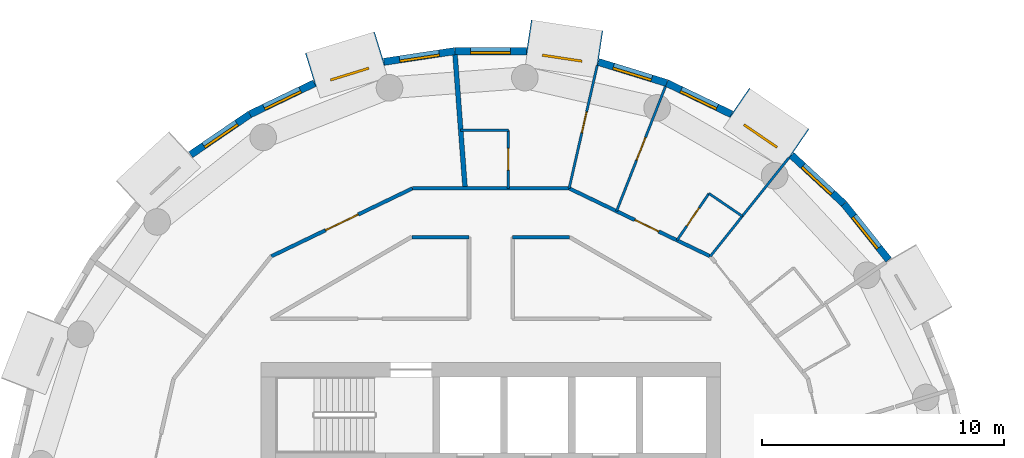
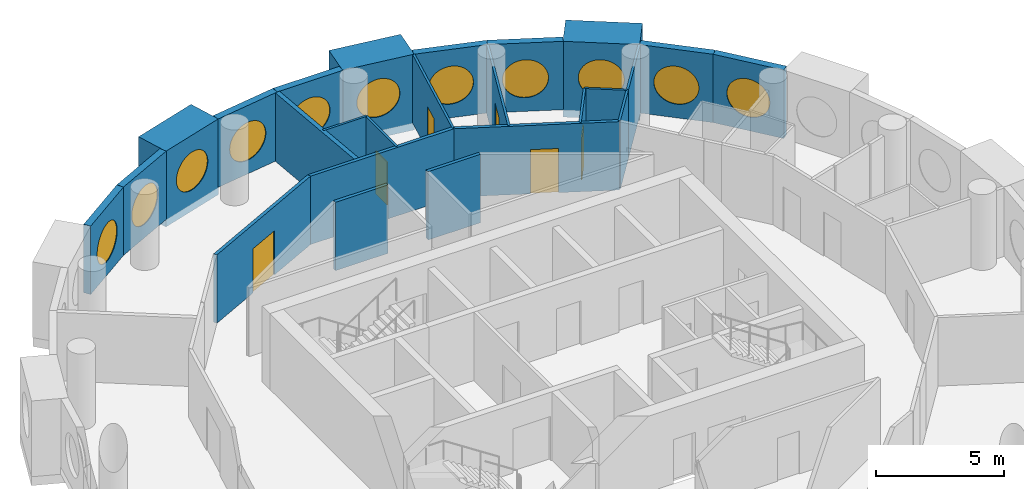
# One storey, part 11 of 13: 25 walls, 11 windows, 6 doors, 17 openings.
"""IFC4 building model written with IfcOpenShell, lengths in metres."""

from ifc_helpers import new_model, si_unit, direction, frame, frame_2d, origin, origin_2d, place, context, subcontext, project, spatial, rectangle, circle, extrude, material, layer, layer_set, type_object, element, fill, save


model = new_model("IFC4")

# Units and contexts
model_context = context("Model", 3, precision=1e-05, world=origin(), true_north=direction((0.0, 1.0)))
body_context = subcontext(model_context, "Body", "Model", "MODEL_VIEW")
ifc_project = project(units=[si_unit("LENGTHUNIT", "METRE"), si_unit("AREAUNIT", "SQUARE_METRE"), si_unit("VOLUMEUNIT", "CUBIC_METRE"), si_unit("PLANEANGLEUNIT", "RADIAN"), si_unit("MASSUNIT", "GRAM", prefix="KILO")], contexts=[model_context])

# Site, building, storey
site_placement = place(None, origin())
site = spatial("IfcSite", under=ifc_project, at=site_placement, CompositionType="ELEMENT")
building_placement = place(site_placement, origin())
building = spatial("IfcBuilding", under=site, at=building_placement, Name="Tracery Tower", CompositionType="ELEMENT")
storey_placement = place(building_placement, frame((0.0, 0.0, 252.60009765625)))
storey = spatial("IfcBuildingStorey", under=building, at=storey_placement, Name="L65", CompositionType="ELEMENT", Elevation=252.60009765625)

# Wall, opening, window
ifc_material_1 = material(Name="Precast concrete C50/60", Category="concrete")
ifc_layer_1 = layer(ifc_material_1, 1.449951171875)
ifc_layer_set_1 = layer_set([ifc_layer_1], Name="Deep-set bay unit 3000 x 3600, slab edge 350")
wall_type_1 = type_object("IfcWallType", Name="Deep-set bay unit 3000 x 3600, slab edge 350", PredefinedType="ELEMENTEDWALL", material=ifc_layer_set_1)
wall_1_placement = place(storey_placement, frame((12.754150390625, 16.044189453125, -0.35009765625), z_axis=(0.0, 0.0, 1.0), x_axis=(-0.826246281157, 0.563309047392, 0.0)))
wall_1 = element("IfcWall", 1, at=wall_1_placement, inside=storey, type_object=wall_type_1, Name="Deep-set bay unit 7 at L65", PredefinedType="ELEMENTEDWALL", context=body_context, shape_type="SweptSolid", body=[
    extrude(rectangle(XDim=3.0, YDim=1.449951171875, at=frame_2d((1.5, 0.0))), origin(), (0.0, 0.0, 1.0), 3.60009765625),
])
opening_1_placement = place(wall_1_placement, frame((1.5, 0.0, 1.89990234375)))
opening_1 = element("IfcOpeningElement", 2, at=opening_1_placement, cuts=wall_1, Name="Opening WN1", PredefinedType="OPENING", context=body_context, shape_type="SweptSolid", body=[
    extrude(circle(Radius=0.9000244140625, at=origin_2d()), frame((0.0, 0.73486328125, 0.0), z_axis=(0.0, -1.0, 0.0), x_axis=(1.0, 0.0, 0.0)), (0.0, 0.0, 1.0), 1.469970703125),
])
ifc_material_2 = material(Name="Aluminium frame with tinted double glazing", Category="aluminium")
window_type = type_object("IfcWindowType", Name="Round window 1800", PartitioningType="SINGLE_PANEL", PredefinedType="WINDOW", material=ifc_material_2)
window_1_placement = place(opening_1_placement, origin())
window_1 = element("IfcWindow", 3, at=window_1_placement, inside=storey, type_object=window_type, Name="Round window 7 at L65", OverallHeight=1.800048828125, OverallWidth=1.800048828125, PartitioningType="SINGLE_PANEL", PredefinedType="WINDOW", context=body_context, shape_type="SweptSolid", body=[
    extrude(circle(Radius=0.9000244140625, at=origin_2d()), frame((0.0, 0.69482421875, 0.0), z_axis=(0.0, -1.0, 0.0), x_axis=(1.0, 0.0, 0.0)), (0.0, 0.0, 1.0), 0.10009765625),
])
fill(opening_1, window_1)

wall_2_placement = place(storey_placement, frame((4.52978515625, 19.9892578125, -0.35009765625), z_axis=(0.0, 0.0, 1.0), x_axis=(-0.988836445254, 0.149004981587, 0.0)))
wall_2 = element("IfcWall", 4, at=wall_2_placement, inside=storey, type_object=wall_type_1, Name="Deep-set bay unit 10 at L65", PredefinedType="ELEMENTEDWALL", context=body_context, shape_type="SweptSolid", body=[
    extrude(rectangle(XDim=3.0, YDim=1.449951171875, at=frame_2d((1.5, 0.0))), origin(), (0.0, 0.0, 1.0), 3.60009765625),
])
opening_2_placement = place(wall_2_placement, frame((1.5, 0.0, 1.89990234375)))
opening_2 = element("IfcOpeningElement", 5, at=opening_2_placement, cuts=wall_2, Name="Opening WN1", PredefinedType="OPENING", context=body_context, shape_type="SweptSolid", body=[
    extrude(circle(Radius=0.9000244140625, at=origin_2d()), frame((0.0, 0.73486328125, 0.0), z_axis=(0.0, -1.0, 0.0), x_axis=(1.0, 0.0, 0.0)), (0.0, 0.0, 1.0), 1.469970703125),
])
window_2_placement = place(opening_2_placement, origin())
window_2 = element("IfcWindow", 6, at=window_2_placement, inside=storey, type_object=window_type, Name="Round window 10 at L65", OverallHeight=1.800048828125, OverallWidth=1.800048828125, PartitioningType="SINGLE_PANEL", PredefinedType="WINDOW", context=body_context, shape_type="SweptSolid", body=[
    extrude(circle(Radius=0.9000244140625, at=origin_2d()), frame((0.0, 0.69482421875, 0.0), z_axis=(0.0, -1.0, 0.0), x_axis=(1.0, 0.0, 0.0)), (0.0, 0.0, 1.0), 0.10009765625),
])
fill(opening_2, window_2)

wall_3_placement = place(storey_placement, frame((-4.591796875, 19.97509765625, -0.35009765625), z_axis=(0.0, 0.0, 1.0), x_axis=(-0.955571139978, -0.294760574774, 0.0)))
wall_3 = element("IfcWall", 7, at=wall_3_placement, inside=storey, type_object=wall_type_1, Name="Deep-set bay unit 13 at L65", PredefinedType="ELEMENTEDWALL", context=body_context, shape_type="SweptSolid", body=[
    extrude(rectangle(XDim=3.0, YDim=1.449951171875, at=frame_2d((1.5, 0.0))), origin(), (0.0, 0.0, 1.0), 3.60009765625),
])
opening_3_placement = place(wall_3_placement, frame((1.5, 0.0, 1.89990234375)))
opening_3 = element("IfcOpeningElement", 8, at=opening_3_placement, cuts=wall_3, Name="Opening WN1", PredefinedType="OPENING", context=body_context, shape_type="SweptSolid", body=[
    extrude(circle(Radius=0.9000244140625, at=origin_2d()), frame((0.0, 0.73486328125, 0.0), z_axis=(0.0, -1.0, 0.0), x_axis=(1.0, 0.0, 0.0)), (0.0, 0.0, 1.0), 1.469970703125),
])
window_3_placement = place(opening_3_placement, origin())
window_3 = element("IfcWindow", 9, at=window_3_placement, inside=storey, type_object=window_type, Name="Round window 13 at L65", OverallHeight=1.800048828125, OverallWidth=1.800048828125, PartitioningType="SINGLE_PANEL", PredefinedType="WINDOW", context=body_context, shape_type="SweptSolid", body=[
    extrude(circle(Radius=0.9000244140625, at=origin_2d()), frame((0.0, 0.69482421875, 0.0), z_axis=(0.0, -1.0, 0.0), x_axis=(1.0, 0.0, 0.0)), (0.0, 0.0, 1.0), 0.10009765625),
])
fill(opening_3, window_3)

ifc_material_3 = material(Name="Precast concrete C50/60", Category="concrete")
ifc_layer_2 = layer(ifc_material_3, 0.300048828125)
ifc_layer_set_2 = layer_set([ifc_layer_2], Name="Facade panel 3000 x 3250")
wall_type_2 = type_object("IfcWallType", Name="Facade panel 3000 x 3250", PredefinedType="SOLIDWALL", material=ifc_layer_set_2)
wall_4_placement = place(storey_placement, frame((16.45068359375, 11.234375, 0.0), z_axis=(0.0, 0.0, 1.0), x_axis=(-0.623498236992, 0.781824755599, 0.0)))
wall_4 = element("IfcWall", 10, at=wall_4_placement, inside=storey, type_object=wall_type_2, Name="Facade panel 5 at L65", PredefinedType="SOLIDWALL", context=body_context, shape_type="SweptSolid", body=[
    extrude(rectangle(XDim=2.962158203125, YDim=0.300048828125, at=frame_2d((1.48095703125, 0.0))), origin(), (0.0, 0.0, 1.0), 3.25),
])
opening_4_placement = place(wall_4_placement, frame((1.48095703125, 0.0, 1.5498046875)))
opening_4 = element("IfcOpeningElement", 11, at=opening_4_placement, cuts=wall_4, Name="Opening WN1", PredefinedType="OPENING", context=body_context, shape_type="SweptSolid", body=[
    extrude(circle(Radius=0.9000244140625, at=origin_2d()), frame((0.0, 0.159912109375, 0.0), z_axis=(0.0, -1.0, 0.0), x_axis=(1.0, 0.0, 0.0)), (0.0, 0.0, 1.0), 0.320068359375),
])
window_4_placement = place(opening_4_placement, origin())
window_4 = element("IfcWindow", 12, at=window_4_placement, inside=storey, type_object=window_type, Name="Round window 5 at L65", OverallHeight=1.800048828125, OverallWidth=1.800048828125, PartitioningType="SINGLE_PANEL", PredefinedType="WINDOW", context=body_context, shape_type="SweptSolid", body=[
    extrude(circle(Radius=0.9000244140625, at=origin_2d()), frame((0.0, 0.1201171875, 0.0), z_axis=(0.0, -1.0, 0.0), x_axis=(1.0, 0.0, 0.0)), (0.0, 0.0, 1.0), 0.10009765625),
])
fill(opening_4, window_4)

wall_5_placement = place(storey_placement, frame((14.603759765625, 13.55029296875, 0.0), z_axis=(0.0, 0.0, 1.0), x_axis=(-0.733066412643, 0.680157066165, 0.0)))
wall_5 = element("IfcWall", 13, at=wall_5_placement, inside=storey, type_object=wall_type_2, Name="Facade panel 6 at L65", PredefinedType="SOLIDWALL", context=body_context, shape_type="SweptSolid", body=[
    extrude(rectangle(XDim=2.96240234375, YDim=0.300048828125, at=frame_2d((1.481201171875, 0.0))), origin(), (0.0, 0.0, 1.0), 3.25),
])
opening_5_placement = place(wall_5_placement, frame((1.48095703125, 0.0, 1.5498046875)))
opening_5 = element("IfcOpeningElement", 14, at=opening_5_placement, cuts=wall_5, Name="Opening WN1", PredefinedType="OPENING", context=body_context, shape_type="SweptSolid", body=[
    extrude(circle(Radius=0.9000244140625, at=origin_2d()), frame((0.0, 0.159912109375, 0.0), z_axis=(0.0, -1.0, 0.0), x_axis=(1.0, 0.0, 0.0)), (0.0, 0.0, 1.0), 0.320068359375),
])
window_5_placement = place(opening_5_placement, origin())
window_5 = element("IfcWindow", 15, at=window_5_placement, inside=storey, type_object=window_type, Name="Round window 6 at L65", OverallHeight=1.800048828125, OverallWidth=1.800048828125, PartitioningType="SINGLE_PANEL", PredefinedType="WINDOW", context=body_context, shape_type="SweptSolid", body=[
    extrude(circle(Radius=0.9000244140625, at=origin_2d()), frame((0.0, 0.1201171875, 0.0), z_axis=(0.0, -1.0, 0.0), x_axis=(1.0, 0.0, 0.0)), (0.0, 0.0, 1.0), 0.10009765625),
])
fill(opening_5, window_5)

wall_6_placement = place(storey_placement, frame((9.947021484375, 17.25927734375, 0.0), z_axis=(0.0, 0.0, 1.0), x_axis=(-0.900939615635, 0.433944476838, 0.0)))
wall_6 = element("IfcWall", 16, at=wall_6_placement, inside=storey, type_object=wall_type_2, Name="Facade panel 8 at L65", PredefinedType="SOLIDWALL", context=body_context, shape_type="SweptSolid", body=[
    extrude(rectangle(XDim=2.962158203125, YDim=0.300048828125, at=frame_2d((1.48095703125, 0.0))), origin(), (0.0, 0.0, 1.0), 3.25),
])
opening_6_placement = place(wall_6_placement, frame((1.48095703125, 0.0, 1.5498046875)))
opening_6 = element("IfcOpeningElement", 17, at=opening_6_placement, cuts=wall_6, Name="Opening WN1", PredefinedType="OPENING", context=body_context, shape_type="SweptSolid", body=[
    extrude(circle(Radius=0.9000244140625, at=origin_2d()), frame((0.0, 0.159912109375, 0.0), z_axis=(0.0, -1.0, 0.0), x_axis=(1.0, 0.0, 0.0)), (0.0, 0.0, 1.0), 0.320068359375),
])
window_6_placement = place(opening_6_placement, origin())
window_6 = element("IfcWindow", 18, at=window_6_placement, inside=storey, type_object=window_type, Name="Round window 8 at L65", OverallHeight=1.800048828125, OverallWidth=1.800048828125, PartitioningType="SINGLE_PANEL", PredefinedType="WINDOW", context=body_context, shape_type="SweptSolid", body=[
    extrude(circle(Radius=0.9000244140625, at=origin_2d()), frame((0.0, 0.1201171875, 0.0), z_axis=(0.0, -1.0, 0.0), x_axis=(1.0, 0.0, 0.0)), (0.0, 0.0, 1.0), 0.10009765625),
])
fill(opening_6, window_6)

wall_7_placement = place(storey_placement, frame((7.2783203125, 18.544677734375, 0.0), z_axis=(0.0, 0.0, 1.0), x_axis=(-0.95558635705, 0.294711238707, 0.0)))
wall_7 = element("IfcWall", 19, at=wall_7_placement, inside=storey, type_object=wall_type_2, Name="Facade panel 9 at L65", PredefinedType="SOLIDWALL", context=body_context, shape_type="SweptSolid", body=[
    extrude(rectangle(XDim=2.96240234375, YDim=0.300048828125, at=frame_2d((1.481201171875, 0.0))), origin(), (0.0, 0.0, 1.0), 3.25),
])
opening_7_placement = place(wall_7_placement, frame((1.48095703125, 0.0, 1.5498046875)))
opening_7 = element("IfcOpeningElement", 20, at=opening_7_placement, cuts=wall_7, Name="Opening WN1", PredefinedType="OPENING", context=body_context, shape_type="SweptSolid", body=[
    extrude(circle(Radius=0.9000244140625, at=origin_2d()), frame((0.0, 0.159912109375, 0.0), z_axis=(0.0, -1.0, 0.0), x_axis=(1.0, 0.0, 0.0)), (0.0, 0.0, 1.0), 0.320068359375),
])
window_7_placement = place(opening_7_placement, origin())
window_7 = element("IfcWindow", 21, at=window_7_placement, inside=storey, type_object=window_type, Name="Round window 9 at L65", OverallHeight=1.800048828125, OverallWidth=1.800048828125, PartitioningType="SINGLE_PANEL", PredefinedType="WINDOW", context=body_context, shape_type="SweptSolid", body=[
    extrude(circle(Radius=0.9000244140625, at=origin_2d()), frame((0.0, 0.1201171875, 0.0), z_axis=(0.0, -1.0, 0.0), x_axis=(1.0, 0.0, 0.0)), (0.0, 0.0, 1.0), 0.10009765625),
])
fill(opening_7, window_7)

wall_8_placement = place(storey_placement, frame((1.473388671875, 19.865966796875, 0.0), z_axis=(0.0, 0.0, 1.0), x_axis=(-1.0, 0.0, 0.0)))
wall_8 = element("IfcWall", 22, at=wall_8_placement, inside=storey, type_object=wall_type_2, Name="Facade panel 11 at L65", PredefinedType="SOLIDWALL", context=body_context, shape_type="SweptSolid", body=[
    extrude(rectangle(XDim=2.962158203125, YDim=0.300048828125, at=frame_2d((1.48095703125, 0.0))), origin(), (0.0, 0.0, 1.0), 3.25),
])
opening_8_placement = place(wall_8_placement, frame((1.48095703125, 0.0, 1.5498046875)))
opening_8 = element("IfcOpeningElement", 23, at=opening_8_placement, cuts=wall_8, Name="Opening WN1", PredefinedType="OPENING", context=body_context, shape_type="SweptSolid", body=[
    extrude(circle(Radius=0.9000244140625, at=origin_2d()), frame((0.0, 0.159912109375, 0.0), z_axis=(0.0, -1.0, 0.0), x_axis=(1.0, 0.0, 0.0)), (0.0, 0.0, 1.0), 0.320068359375),
])
window_8_placement = place(opening_8_placement, origin())
window_8 = element("IfcWindow", 24, at=window_8_placement, inside=storey, type_object=window_type, Name="Round window 11 at L65", OverallHeight=1.800048828125, OverallWidth=1.800048828125, PartitioningType="SINGLE_PANEL", PredefinedType="WINDOW", context=body_context, shape_type="SweptSolid", body=[
    extrude(circle(Radius=0.9000244140625, at=origin_2d()), frame((0.0, 0.1201171875, 0.0), z_axis=(0.0, -1.0, 0.0), x_axis=(1.0, 0.0, 0.0)), (0.0, 0.0, 1.0), 0.10009765625),
])
fill(opening_8, window_8)

wall_9_placement = place(storey_placement, frame((-1.48876953125, 19.865966796875, 0.0), z_axis=(0.0, 0.0, 1.0), x_axis=(-0.988835775663, -0.149009425104, 0.0)))
wall_9 = element("IfcWall", 25, at=wall_9_placement, inside=storey, type_object=wall_type_2, Name="Facade panel 12 at L65", PredefinedType="SOLIDWALL", context=body_context, shape_type="SweptSolid", body=[
    extrude(rectangle(XDim=2.962158203125, YDim=0.300048828125, at=frame_2d((1.48095703125, 0.0))), origin(), (0.0, 0.0, 1.0), 3.25),
])
opening_9_placement = place(wall_9_placement, frame((1.48095703125, 0.0, 1.5498046875)))
opening_9 = element("IfcOpeningElement", 26, at=opening_9_placement, cuts=wall_9, Name="Opening WN1", PredefinedType="OPENING", context=body_context, shape_type="SweptSolid", body=[
    extrude(circle(Radius=0.9000244140625, at=origin_2d()), frame((0.0, 0.159912109375, 0.0), z_axis=(0.0, -1.0, 0.0), x_axis=(1.0, 0.0, 0.0)), (0.0, 0.0, 1.0), 0.320068359375),
])
window_9_placement = place(opening_9_placement, origin())
window_9 = element("IfcWindow", 27, at=window_9_placement, inside=storey, type_object=window_type, Name="Round window 12 at L65", OverallHeight=1.800048828125, OverallWidth=1.800048828125, PartitioningType="SINGLE_PANEL", PredefinedType="WINDOW", context=body_context, shape_type="SweptSolid", body=[
    extrude(circle(Radius=0.9000244140625, at=origin_2d()), frame((0.0, 0.1201171875, 0.0), z_axis=(0.0, -1.0, 0.0), x_axis=(1.0, 0.0, 0.0)), (0.0, 0.0, 1.0), 0.10009765625),
])
fill(opening_9, window_9)

wall_10_placement = place(storey_placement, frame((-7.2919921875, 18.5380859375, 0.0), z_axis=(0.0, 0.0, 1.0), x_axis=(-0.90095513435, -0.433912255978, 0.0)))
wall_10 = element("IfcWall", 28, at=wall_10_placement, inside=storey, type_object=wall_type_2, Name="Facade panel 14 at L65", PredefinedType="SOLIDWALL", context=body_context, shape_type="SweptSolid", body=[
    extrude(rectangle(XDim=2.96240234375, YDim=0.300048828125, at=frame_2d((1.481201171875, 0.0))), origin(), (0.0, 0.0, 1.0), 3.25),
])
opening_10_placement = place(wall_10_placement, frame((1.48095703125, 0.0, 1.5498046875)))
opening_10 = element("IfcOpeningElement", 29, at=opening_10_placement, cuts=wall_10, Name="Opening WN1", PredefinedType="OPENING", context=body_context, shape_type="SweptSolid", body=[
    extrude(circle(Radius=0.9000244140625, at=origin_2d()), frame((0.0, 0.159912109375, 0.0), z_axis=(0.0, -1.0, 0.0), x_axis=(1.0, 0.0, 0.0)), (0.0, 0.0, 1.0), 0.320068359375),
])
window_10_placement = place(opening_10_placement, origin())
window_10 = element("IfcWindow", 30, at=window_10_placement, inside=storey, type_object=window_type, Name="Round window 14 at L65", OverallHeight=1.800048828125, OverallWidth=1.800048828125, PartitioningType="SINGLE_PANEL", PredefinedType="WINDOW", context=body_context, shape_type="SweptSolid", body=[
    extrude(circle(Radius=0.9000244140625, at=origin_2d()), frame((0.0, 0.1201171875, 0.0), z_axis=(0.0, -1.0, 0.0), x_axis=(1.0, 0.0, 0.0)), (0.0, 0.0, 1.0), 0.10009765625),
])
fill(opening_10, window_10)

wall_11_placement = place(storey_placement, frame((-9.9609375, 17.252685546875, 0.0), z_axis=(0.0, 0.0, 1.0), x_axis=(-0.826236061068, -0.563324037646, 0.0)))
wall_11 = element("IfcWall", 31, at=wall_11_placement, inside=storey, type_object=wall_type_2, Name="Facade panel 15 at L65", PredefinedType="SOLIDWALL", context=body_context, shape_type="SweptSolid", body=[
    extrude(rectangle(XDim=2.962158203125, YDim=0.300048828125, at=frame_2d((1.48095703125, 0.0))), origin(), (0.0, 0.0, 1.0), 3.25),
])
opening_11_placement = place(wall_11_placement, frame((1.48095703125, 0.0, 1.5498046875)))
opening_11 = element("IfcOpeningElement", 32, at=opening_11_placement, cuts=wall_11, Name="Opening WN1", PredefinedType="OPENING", context=body_context, shape_type="SweptSolid", body=[
    extrude(circle(Radius=0.9000244140625, at=origin_2d()), frame((0.0, 0.159912109375, 0.0), z_axis=(0.0, -1.0, 0.0), x_axis=(1.0, 0.0, 0.0)), (0.0, 0.0, 1.0), 0.320068359375),
])
window_11_placement = place(opening_11_placement, origin())
window_11 = element("IfcWindow", 33, at=window_11_placement, inside=storey, type_object=window_type, Name="Round window 15 at L65", OverallHeight=1.800048828125, OverallWidth=1.800048828125, PartitioningType="SINGLE_PANEL", PredefinedType="WINDOW", context=body_context, shape_type="SweptSolid", body=[
    extrude(circle(Radius=0.9000244140625, at=origin_2d()), frame((0.0, 0.1201171875, 0.0), z_axis=(0.0, -1.0, 0.0), x_axis=(1.0, 0.0, 0.0)), (0.0, 0.0, 1.0), 0.10009765625),
])
fill(opening_11, window_11)

# Wall, opening, door
ifc_material_4 = material(Name="Plasterboard on steel studs", Category="steel")
ifc_layer_3 = layer(ifc_material_4, 0.10009765625)
ifc_layer_set_3 = layer_set([ifc_layer_3], Name="Partition 100 stud")
wall_type_3 = type_object("IfcWallType", Name="Partition 100 stud", PredefinedType="PARTITIONING", material=ifc_layer_set_3)
wall_12_placement = place(storey_placement, frame((5.198974609375, 13.248046875, 0.0), z_axis=(0.0, 0.0, 1.0), x_axis=(0.365334662456, 0.930876245485, 0.0)))
wall_12 = element("IfcWall", 34, at=wall_12_placement, inside=storey, type_object=wall_type_3, Name="Stud partition RC3-057", PredefinedType="PARTITIONING", context=body_context, shape_type="SweptSolid", body=[
    extrude(rectangle(XDim=5.5400390625, YDim=0.10009765625, at=frame_2d((2.77001953125, 0.0))), origin(), (0.0, 0.0, 1.0), 3.25),
])
opening_12_placement = place(wall_12_placement, frame((2.27001953125, 0.0, 0.0)))
opening_12 = element("IfcOpeningElement", 35, at=opening_12_placement, cuts=wall_12, Name="Opening RC3-10", PredefinedType="OPENING", context=body_context, shape_type="SweptSolid", body=[
    extrude(rectangle(XDim=1.0, YDim=2.0400390625, at=frame_2d((0.5, 1.02001953125))), frame((0.0, 0.050048828125, 0.0), z_axis=(0.0, -1.0, 0.0), x_axis=(1.0, 0.0, 0.0)), (0.0, 0.0, 1.0), 0.10009765625),
])
ifc_material_5 = material(Name="Timber door leaf", Category="wood")
door_type_1 = type_object("IfcDoorType", Name="Door communal room 1000", OperationType="NOTDEFINED", PredefinedType="DOOR", material=ifc_material_5)
door_1_placement = place(opening_12_placement, origin())
door_1 = element("IfcDoor", 36, at=door_1_placement, inside=storey, type_object=door_type_1, Name="Communal room door RC3-10", OperationType="SINGLE_SWING_RIGHT", OverallHeight=2.0400390625, OverallWidth=1.0, PredefinedType="DOOR", context=body_context, shape_type="SweptSolid", body=[
    extrude(rectangle(XDim=1.0, YDim=2.0400390625, at=frame_2d((0.5, 1.02001953125))), frame((0.0, 0.02490234375, 0.0), z_axis=(0.0, -1.0, 0.0), x_axis=(1.0, 0.0, 0.0)), (0.0, 0.0, 1.0), 0.050048828125),
])
fill(opening_12, door_1)

# Wall
wall_13_placement = place(storey_placement, frame((10.39892578125, 13.0400390625, 0.0), z_axis=(0.0, 0.0, 1.0), x_axis=(0.62343302941, 0.781876753613, 0.0)))
element("IfcWall", 37, at=wall_13_placement, inside=storey, type_object=wall_type_3, Name="Stud partition RC3-060", PredefinedType="PARTITIONING", context=body_context, shape_type="SweptSolid", body=[
    extrude(rectangle(XDim=3.092529296875, YDim=0.10009765625, at=frame_2d((1.54638671875, 0.0))), origin(), (0.0, 0.0, 1.0), 3.25),
])

# Wall, opening, door
wall_14_placement = place(storey_placement, frame((3.239013671875, 14.19189453125, 0.0), z_axis=(0.0, 0.0, 1.0), x_axis=(0.222612505682, 0.974907007008, 0.0)))
wall_14 = element("IfcWall", 38, at=wall_14_placement, inside=storey, type_object=wall_type_3, Name="Stud partition RC3-061", PredefinedType="PARTITIONING", context=body_context, shape_type="SweptSolid", body=[
    extrude(rectangle(XDim=5.21484375, YDim=0.10009765625, at=frame_2d((2.607421875, 0.0))), origin(), (0.0, 0.0, 1.0), 3.25),
])
opening_13_placement = place(wall_14_placement, frame((2.35302734375, 0.0, 0.0)))
opening_13 = element("IfcOpeningElement", 39, at=opening_13_placement, cuts=wall_14, Name="Opening RC3-14", PredefinedType="OPENING", context=body_context, shape_type="SweptSolid", body=[
    extrude(rectangle(XDim=0.89990234375, YDim=2.10009765625, at=frame_2d((0.449951171875, 1.050048828125))), frame((0.0, 0.050048828125, 0.0), z_axis=(0.0, -1.0, 0.0), x_axis=(1.0, 0.0, 0.0)), (0.0, 0.0, 1.0), 0.10009765625),
])
ifc_material_6 = material(Name="Timber door leaf", Category="wood")
door_type_2 = type_object("IfcDoorType", Name="Door bedroom 900", OperationType="NOTDEFINED", PredefinedType="DOOR", material=ifc_material_6)
door_2_placement = place(opening_13_placement, origin())
door_2 = element("IfcDoor", 40, at=door_2_placement, inside=storey, type_object=door_type_2, Name="Bedroom door RC3-14", OperationType="SINGLE_SWING_RIGHT", OverallHeight=2.10009765625, OverallWidth=0.89990234375, PredefinedType="DOOR", context=body_context, shape_type="SweptSolid", body=[
    extrude(rectangle(XDim=0.89990234375, YDim=2.10009765625, at=frame_2d((0.449951171875, 1.050048828125))), frame((0.0, 0.02490234375, 0.0), z_axis=(0.0, -1.0, 0.0), x_axis=(1.0, 0.0, 0.0)), (0.0, 0.0, 1.0), 0.050048828125),
])
fill(opening_13, door_2)

# Wall
ifc_material_7 = material(Name="Plasterboard on steel studs", Category="steel")
ifc_layer_4 = layer(ifc_material_7, 0.10009765625)
ifc_layer_set_4 = layer_set([ifc_layer_4], Name="Partition 100 wet wall")
wall_type_4 = type_object("IfcWallType", Name="Partition 100 wet wall", PredefinedType="PARTITIONING", material=ifc_layer_set_4)
wall_15_placement = place(storey_placement, frame((9.02001953125, 13.97998046875, 0.0), z_axis=(0.0, 0.0, 1.0), x_axis=(0.826289240924, -0.563246030021, 0.0)))
element("IfcWall", 41, at=wall_15_placement, inside=storey, type_object=wall_type_4, Name="Wet wall RC3-058", PredefinedType="PARTITIONING", context=body_context, shape_type="SweptSolid", body=[
    extrude(rectangle(XDim=1.668701171875, YDim=0.10009765625, at=frame_2d((0.83447265625, 0.0))), origin(), (0.0, 0.0, 1.0), 3.25),
])

# Wall, opening, door
wall_16_placement = place(storey_placement, frame((7.699951171875, 12.0439453125, 0.0), z_axis=(0.0, 0.0, 1.0), x_axis=(0.563349756349, 0.826218525586, 0.0)))
wall_16 = element("IfcWall", 42, at=wall_16_placement, inside=storey, type_object=wall_type_4, Name="Wet wall RC3-059", PredefinedType="PARTITIONING", context=body_context, shape_type="SweptSolid", body=[
    extrude(rectangle(XDim=2.34326171875, YDim=0.10009765625, at=frame_2d((1.171630859375, 0.0))), origin(), (0.0, 0.0, 1.0), 3.25),
])
opening_14_placement = place(wall_16_placement, frame((0.72119140625, 0.0, 0.0)))
opening_14 = element("IfcOpeningElement", 43, at=opening_14_placement, cuts=wall_16, Name="Opening RC3-11", PredefinedType="OPENING", context=body_context, shape_type="SweptSolid", body=[
    extrude(rectangle(XDim=0.89990234375, YDim=2.0, at=frame_2d((0.449951171875, 1.0))), frame((0.0, 0.050048828125, 0.0), z_axis=(0.0, -1.0, 0.0), x_axis=(1.0, 0.0, 0.0)), (0.0, 0.0, 1.0), 0.10009765625),
])
ifc_material_8 = material(Name="Timber door leaf", Category="wood")
door_type_3 = type_object("IfcDoorType", Name="Door shower room 900", OperationType="NOTDEFINED", PredefinedType="DOOR", material=ifc_material_8)
door_3_placement = place(opening_14_placement, origin())
door_3 = element("IfcDoor", 44, at=door_3_placement, inside=storey, type_object=door_type_3, Name="Shower room door RC3-11", OperationType="SINGLE_SWING_RIGHT", OverallHeight=2.0, OverallWidth=0.89990234375, PredefinedType="DOOR", context=body_context, shape_type="SweptSolid", body=[
    extrude(rectangle(XDim=0.89990234375, YDim=2.0, at=frame_2d((0.449951171875, 1.0))), frame((0.0, 0.02490234375, 0.0), z_axis=(0.0, -1.0, 0.0), x_axis=(1.0, 0.0, 0.0)), (0.0, 0.0, 1.0), 0.050048828125),
])
fill(opening_14, door_3)

# Wall
wall_17_placement = place(storey_placement, frame((9.075927734375, 11.381103515625, 0.0), z_axis=(0.0, 0.0, 1.0), x_axis=(0.623501640025, 0.781822041699, 0.0)))
element("IfcWall", 45, at=wall_17_placement, inside=storey, type_object=wall_type_4, Name="Wet wall RC3-062", PredefinedType="PARTITIONING", context=body_context, shape_type="SweptSolid", body=[
    extrude(rectangle(XDim=2.121826171875, YDim=0.10009765625, at=frame_2d((1.06103515625, 0.0))), origin(), (0.0, 0.0, 1.0), 3.25),
])

# Wall, opening, door
wall_18_placement = place(storey_placement, frame((0.721923828125, 14.19189453125, 0.0), z_axis=(0.0, 0.0, 1.0), x_axis=(0.0, 1.0, 0.0)))
wall_18 = element("IfcWall", 46, at=wall_18_placement, inside=storey, type_object=wall_type_4, Name="Wet wall RC3-065", PredefinedType="PARTITIONING", context=body_context, shape_type="SweptSolid", body=[
    extrude(rectangle(XDim=2.400146484375, YDim=0.10009765625, at=frame_2d((1.2001953125, 0.0))), origin(), (0.0, 0.0, 1.0), 3.25),
])
opening_15_placement = place(wall_18_placement, frame((0.75, 0.0, 0.0)))
opening_15 = element("IfcOpeningElement", 47, at=opening_15_placement, cuts=wall_18, Name="Opening RC3-15", PredefinedType="OPENING", context=body_context, shape_type="SweptSolid", body=[
    extrude(rectangle(XDim=0.89990234375, YDim=2.0400390625, at=frame_2d((0.449951171875, 1.02001953125))), frame((0.0, 0.050048828125, 0.0), z_axis=(0.0, -1.0, 0.0), x_axis=(1.0, 0.0, 0.0)), (0.0, 0.0, 1.0), 0.10009765625),
])
ifc_material_9 = material(Name="Timber door leaf", Category="wood")
door_type_4 = type_object("IfcDoorType", Name="Door en-suite 900", OperationType="NOTDEFINED", PredefinedType="DOOR", material=ifc_material_9)
door_4_placement = place(opening_15_placement, origin())
door_4 = element("IfcDoor", 48, at=door_4_placement, inside=storey, type_object=door_type_4, Name="En-suite door RC3-15", OperationType="SINGLE_SWING_RIGHT", OverallHeight=2.0400390625, OverallWidth=0.89990234375, PredefinedType="DOOR", context=body_context, shape_type="SweptSolid", body=[
    extrude(rectangle(XDim=0.89990234375, YDim=2.0400390625, at=frame_2d((0.449951171875, 1.02001953125))), frame((0.0, 0.02490234375, 0.0), z_axis=(0.0, -1.0, 0.0), x_axis=(1.0, 0.0, 0.0)), (0.0, 0.0, 1.0), 0.050048828125),
])
fill(opening_15, door_4)

# Walls
wall_19_placement = place(storey_placement, frame((-1.242919921875, 16.592041015625, 0.0), z_axis=(0.0, 0.0, 1.0), x_axis=(1.0, 0.0, 0.0)))
element("IfcWall", 49, at=wall_19_placement, inside=storey, type_object=wall_type_4, Name="Wet wall RC3-066", PredefinedType="PARTITIONING", context=body_context, shape_type="SweptSolid", body=[
    extrude(rectangle(XDim=1.96484375, YDim=0.10009765625, at=frame_2d((0.982421875, 0.0))), origin(), (0.0, 0.0, 1.0), 3.25),
])
ifc_material_10 = material(Name="Plasterboard on steel studs", Category="steel")
ifc_layer_5 = layer(ifc_material_10, 0.14990234375)
ifc_layer_set_5 = layer_set([ifc_layer_5], Name="Partition 150 corridor wall")
wall_type_5 = type_object("IfcWallType", Name="Partition 150 corridor wall", PredefinedType="PARTITIONING", material=ifc_layer_set_5)
for number, where, z_axis, x_axis, name in (
    (50, (-3.260986328125, 12.1708984375, 0.0), (0.0, 0.0, 1.0), (1.0, 0.0, 0.0), "Corridor wall RC3-027"),
    (51, (0.89990234375, 12.1708984375, 0.0), (0.0, 0.0, 1.0), (1.0, 0.0, 0.0), "Corridor wall RC3-029"),
):
    element("IfcWall", number, at=place(storey_placement, frame(where, z_axis=z_axis, x_axis=x_axis)), inside=storey, type_object=wall_type_5, Name=name, PredefinedType="PARTITIONING", context=body_context, shape_type="SweptSolid", body=[
        extrude(rectangle(XDim=2.361083984375, YDim=0.14990234375, at=frame_2d((1.1806640625, 0.0))), origin(), (0.0, 0.0, 1.0), 3.25),
    ])

# Wall, opening, door
wall_20_placement = place(storey_placement, frame((3.239013671875, 14.192138671875, 0.0), z_axis=(0.0, 0.0, 1.0), x_axis=(0.90093183072, -0.433960639224, 0.0)))
wall_20 = element("IfcWall", 52, at=wall_20_placement, inside=storey, type_object=wall_type_5, Name="Corridor wall RC3-031", PredefinedType="PARTITIONING", context=body_context, shape_type="SweptSolid", body=[
    extrude(rectangle(XDim=6.478759765625, YDim=0.14990234375, at=frame_2d((3.2392578125, 0.0))), origin(), (0.0, 0.0, 1.0), 3.25),
])
opening_16_placement = place(wall_20_placement, frame((3.012939453125, 0.0, 0.0)))
opening_16 = element("IfcOpeningElement", 53, at=opening_16_placement, cuts=wall_20, Name="Opening RC3-09", PredefinedType="OPENING", context=body_context, shape_type="SweptSolid", body=[
    extrude(rectangle(XDim=1.10009765625, YDim=2.10009765625, at=frame_2d((0.550048828125, 1.050048828125))), frame((0.0, 0.074951171875, 0.0), z_axis=(0.0, -1.0, 0.0), x_axis=(1.0, 0.0, 0.0)), (0.0, 0.0, 1.0), 0.14990234375),
])
ifc_material_11 = material(Name="Timber door leaf", Category="wood")
door_type_5 = type_object("IfcDoorType", Name="Door cluster entrance 1100", OperationType="NOTDEFINED", PredefinedType="DOOR", material=ifc_material_11)
door_5_placement = place(opening_16_placement, origin())
door_5 = element("IfcDoor", 54, at=door_5_placement, inside=storey, type_object=door_type_5, Name="Cluster entrance door RC3-09", OperationType="SINGLE_SWING_RIGHT", OverallHeight=2.10009765625, OverallWidth=1.10009765625, PredefinedType="DOOR", context=body_context, shape_type="SweptSolid", body=[
    extrude(rectangle(XDim=1.10009765625, YDim=2.10009765625, at=frame_2d((0.550048828125, 1.050048828125))), frame((0.0, 0.02490234375, 0.0), z_axis=(0.0, -1.0, 0.0), x_axis=(1.0, 0.0, 0.0)), (0.0, 0.0, 1.0), 0.050048828125),
])
fill(opening_16, door_5)

# Wall
wall_21_placement = place(storey_placement, frame((-3.239013671875, 14.19189453125, 0.0), z_axis=(0.0, 0.0, 1.0), x_axis=(1.0, 0.0, 0.0)))
element("IfcWall", 55, at=wall_21_placement, inside=storey, type_object=wall_type_5, Name="Corridor wall RC3-032", PredefinedType="PARTITIONING", context=body_context, shape_type="SweptSolid", body=[
    extrude(rectangle(XDim=6.47802734375, YDim=0.14990234375, at=frame_2d((3.239013671875, 0.0))), origin(), (0.0, 0.0, 1.0), 3.25),
])

# Wall, opening, door
wall_22_placement = place(storey_placement, frame((-9.075927734375, 11.381103515625, 0.0), z_axis=(0.0, 0.0, 1.0), x_axis=(0.900976027191, 0.433868872388, 0.0)))
wall_22 = element("IfcWall", 56, at=wall_22_placement, inside=storey, type_object=wall_type_5, Name="Corridor wall RC3-033", PredefinedType="PARTITIONING", context=body_context, shape_type="SweptSolid", body=[
    extrude(rectangle(XDim=6.478515625, YDim=0.14990234375, at=frame_2d((3.2392578125, 0.0))), origin(), (0.0, 0.0, 1.0), 3.25),
])
opening_17_placement = place(wall_22_placement, frame((2.489013671875, 0.0, 0.0)))
opening_17 = element("IfcOpeningElement", 57, at=opening_17_placement, cuts=wall_22, Name="Opening RC3-16", PredefinedType="OPENING", context=body_context, shape_type="SweptSolid", body=[
    extrude(rectangle(XDim=1.5, YDim=2.10009765625, at=frame_2d((0.75, 1.050048828125))), frame((0.0, 0.074951171875, 0.0), z_axis=(0.0, -1.0, 0.0), x_axis=(1.0, 0.0, 0.0)), (0.0, 0.0, 1.0), 0.14990234375),
])
ifc_material_12 = material(Name="Timber door leaf", Category="wood")
door_type_6 = type_object("IfcDoorType", Name="Door double kitchen 1500", OperationType="NOTDEFINED", PredefinedType="DOOR", material=ifc_material_12)
door_6_placement = place(opening_17_placement, origin())
door_6 = element("IfcDoor", 58, at=door_6_placement, inside=storey, type_object=door_type_6, Name="Double kitchen door RC3-16", OperationType="DOUBLE_DOOR_SINGLE_SWING", OverallHeight=2.10009765625, OverallWidth=1.5, PredefinedType="DOOR", context=body_context, shape_type="SweptSolid", body=[
    extrude(rectangle(XDim=1.5, YDim=2.10009765625, at=frame_2d((0.75, 1.050048828125))), frame((0.0, 0.02490234375, 0.0), z_axis=(0.0, -1.0, 0.0), x_axis=(1.0, 0.0, 0.0)), (0.0, 0.0, 1.0), 0.050048828125),
])
fill(opening_17, door_6)

# Wall
ifc_material_13 = material(Name="Plasterboard on steel studs", Category="steel")
ifc_layer_6 = layer(ifc_material_13, 0.199951171875)
ifc_layer_set_6 = layer_set([ifc_layer_6], Name="Partition 200 compartment wall")
wall_type_6 = type_object("IfcWallType", Name="Partition 200 compartment wall", PredefinedType="PARTITIONING", material=ifc_layer_set_6)
wall_23_placement = place(storey_placement, frame((-1.47802734375, 19.716064453125, 0.0), z_axis=(0.0, 0.0, 1.0), x_axis=(0.075011267216, -0.997182686267, 0.0)))
element("IfcWall", 59, at=wall_23_placement, inside=storey, type_object=wall_type_6, Name="Compartment wall RC3-067", PredefinedType="PARTITIONING", context=body_context, shape_type="SweptSolid", body=[
    extrude(rectangle(XDim=5.53955078125, YDim=0.199951171875, at=frame_2d((2.769775390625, 0.0))), origin(), (0.0, 0.0, 1.0), 3.25),
])

save(model, "model.ifc")
